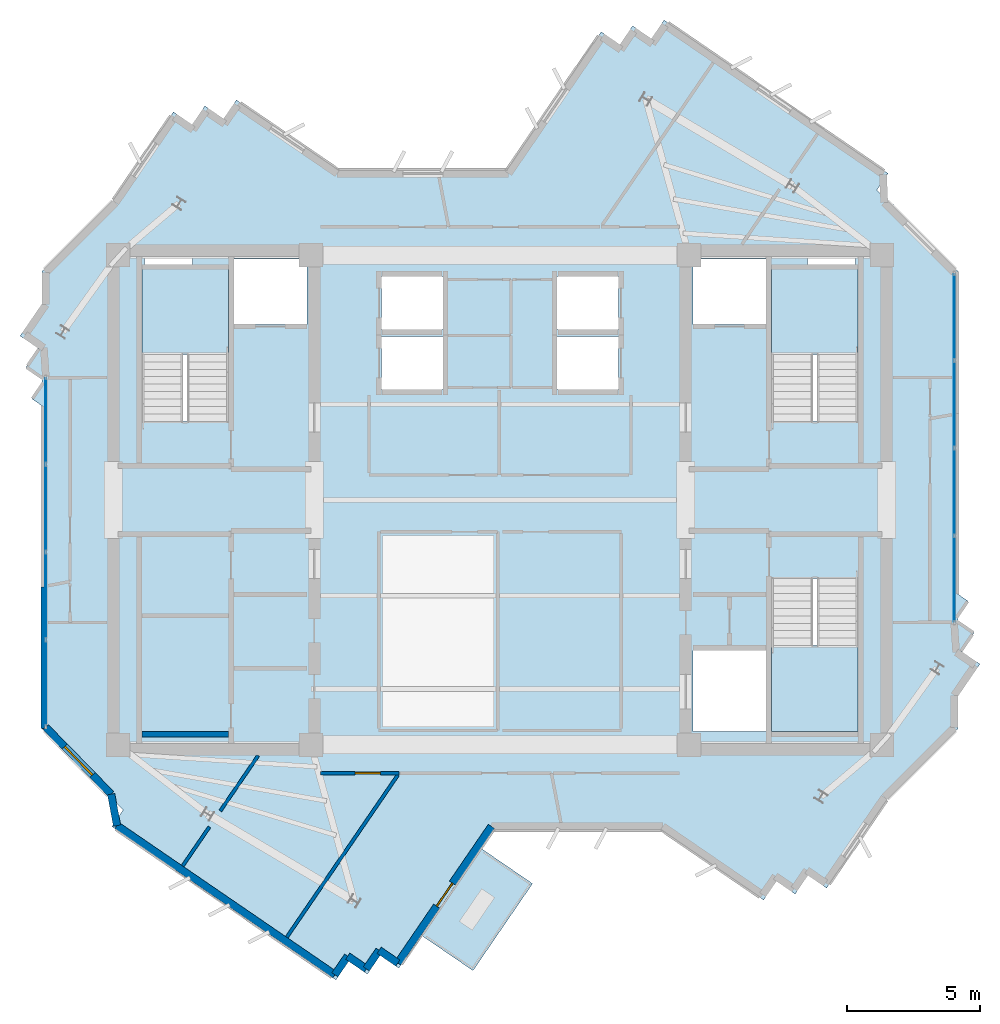
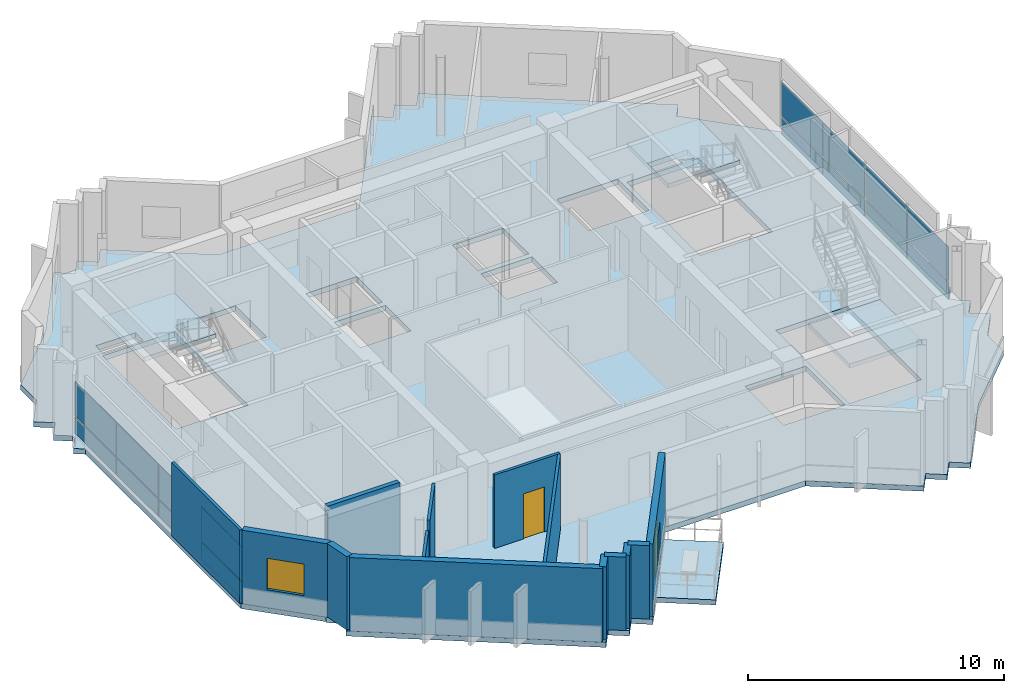
# One storey, part 4 of 11: 16 plates, 14 walls, 5 slabs, 2 doors, 1 window, 3 openings, 5 elements without a shape of their own.
"""IFC4 building model written with IfcOpenShell, lengths in metres."""

from ifc_helpers import new_model, si_unit, direction, frame, frame_2d, origin, origin_2d, place, context, subcontext, project, spatial, polyline, rectangle, outline, extrude, source, transform, mapped, material, layer, layer_set, type_object, element, fill, aggregate, save


model = new_model("IFC4")

# Units and contexts
model_context = context("Model", 3, precision=1e-05, world=origin(), true_north=direction((0.0, 1.0)))
body_context = subcontext(model_context, "Body", "Model", "MODEL_VIEW")
ifc_project = project(units=[si_unit("LENGTHUNIT", "METRE"), si_unit("AREAUNIT", "SQUARE_METRE"), si_unit("VOLUMEUNIT", "CUBIC_METRE"), si_unit("PLANEANGLEUNIT", "RADIAN"), si_unit("MASSUNIT", "GRAM", prefix="KILO")], contexts=[model_context])

# Site, building, storey
site_placement = place(None, origin())
site = spatial("IfcSite", under=ifc_project, at=site_placement, CompositionType="ELEMENT")
building_placement = place(site_placement, origin())
building = spatial("IfcBuilding", under=site, at=building_placement, Name="Zahravan Cultural Tower", CompositionType="ELEMENT")
storey_placement = place(building_placement, frame((0.0, 0.0, 338.550048828125)))
storey = spatial("IfcBuildingStorey", under=building, at=storey_placement, Name="L82", CompositionType="ELEMENT", Elevation=338.550048828125)

# Stair, slab
ifc_material_1 = material(Name="Concrete C45/55", Category="concrete")
stair_type = type_object("IfcStairType", Name="STR-DL-1550-375", PredefinedType="HALF_TURN_STAIR", material=ifc_material_1)
stair_1_placement = place(storey_placement, origin())
stair_1 = element("IfcStair", 1, at=stair_1_placement, inside=storey, type_object=stair_type, Name="L82 West Core North Exit Stair ST-W1", PredefinedType="HALF_TURN_STAIR")
ifc_layer_1 = layer(ifc_material_1, 0.199951171875)
ifc_layer_set_1 = layer_set([ifc_layer_1], Name="Concrete C45/55")
slab_type_1 = type_object("IfcSlabType", Name="SL-STAIR-LND200", PredefinedType="LANDING", material=ifc_layer_set_1)
slab_1_placement = place(storey_placement, frame((0.0, 0.0, 1.675048828125)))
slab_1 = element("IfcSlab", 2, at=slab_1_placement, type_object=slab_type_1, Name="ST-W1 landing 1", PredefinedType="LANDING", context=body_context, shape_type="SweptSolid", body=[
    extrude(outline(polyline([(25.800048828125, 32.469970703125), (25.800048828125, 35.699951171875), (22.550048828125, 35.699951171875), (22.550048828125, 32.469970703125), (25.800048828125, 32.469970703125)])), origin(), (0.0, 0.0, 1.0), 0.199951171875),
])
aggregate(stair_1, [slab_1])

stair_2_placement = place(storey_placement, origin())
stair_2 = element("IfcStair", 3, at=stair_2_placement, inside=storey, type_object=stair_type, Name="L82 East Core North Exit Stair ST-E1", PredefinedType="HALF_TURN_STAIR")
slab_2_placement = place(storey_placement, frame((0.0, 0.0, 1.675048828125)))
slab_2 = element("IfcSlab", 4, at=slab_2_placement, type_object=slab_type_1, Name="ST-E1 landing 1", PredefinedType="LANDING", context=body_context, shape_type="SweptSolid", body=[
    extrude(outline(polyline([(49.449951171875, 32.469970703125), (49.449951171875, 35.699951171875), (46.199951171875, 35.699951171875), (46.199951171875, 32.469970703125), (49.449951171875, 32.469970703125)])), origin(), (0.0, 0.0, 1.0), 0.199951171875),
])
aggregate(stair_2, [slab_2])

stair_3_placement = place(storey_placement, origin())
stair_3 = element("IfcStair", 5, at=stair_3_placement, inside=storey, type_object=stair_type, Name="L82 East Core South Exit Stair ST-E2", PredefinedType="HALF_TURN_STAIR")
slab_3_placement = place(storey_placement, frame((0.0, 0.0, 1.675048828125)))
slab_3 = element("IfcSlab", 6, at=slab_3_placement, type_object=slab_type_1, Name="ST-E2 landing 1", PredefinedType="LANDING", context=body_context, shape_type="SweptSolid", body=[
    extrude(outline(polyline([(46.199951171875, 21.530029296875), (46.199951171875, 18.300048828125), (49.449951171875, 18.300048828125), (49.449951171875, 21.530029296875), (46.199951171875, 21.530029296875)])), origin(), (0.0, 0.0, 1.0), 0.199951171875),
])
aggregate(stair_3, [slab_3])

# Slabs
ifc_material_2 = material(Name="Concrete C40/50", Category="concrete")
ifc_layer_2 = layer(ifc_material_2, 0.239990234375)
ifc_layer_set_2 = layer_set([ifc_layer_2], Name="Concrete C40/50")
slab_type_2 = type_object("IfcSlabType", Name="SL-TERR-240", PredefinedType="FLOOR", material=ifc_layer_set_2)
slab_4_placement = place(storey_placement, frame((0.0, 0.0, -0.239990234375)))
element("IfcSlab", 7, at=slab_4_placement, inside=storey, type_object=slab_type_2, Name="L82 Planted Sculpture Terrace SW", PredefinedType="FLOOR", context=body_context, shape_type="SweptSolid", body=[
    extrude(outline(polyline([(37.22216796875, 12.58935546875), (35.287109375, 13.9140625), (33.050048828125, 10.646728515625), (34.98486328125, 9.32177734375), (37.22216796875, 12.58935546875)])), origin(), (0.0, 0.0, 1.0), 0.239990234375),
])
ifc_layer_3 = layer(ifc_material_2, 0.25)
ifc_layer_set_3 = layer_set([ifc_layer_3], Name="Concrete C40/50")
slab_type_3 = type_object("IfcSlabType", Name="SL-TYP-250", PredefinedType="FLOOR", material=ifc_layer_set_3)
slab_5_placement = place(storey_placement, frame((0.0, 0.0, -0.25)))
element("IfcSlab", 8, at=slab_5_placement, inside=storey, type_object=slab_type_3, Name="L82 Structural Floor Slab", PredefinedType="FLOOR", context=body_context, shape_type="SweptSolid", body=[
    extrude(outline(polyline([(50.522216796875, 38.27783203125), (50.15478515625, 38.645263671875), (50.580810546875, 39.267822265625), (42.164794921875, 45.030517578125), (41.6845703125, 44.3291015625), (40.983154296875, 44.809326171875), (40.5029296875, 44.10791015625), (39.801513671875, 44.588134765625), (36.249267578125, 39.39990234375), (29.92626953125, 39.39990234375), (26.095458984375, 42.023193359375), (25.615234375, 41.32177734375), (24.913818359375, 41.802001953125), (24.43359375, 41.1005859375), (23.732177734375, 41.580810546875), (21.454833984375, 38.2548828125), (18.800048828125, 35.60009765625), (18.800048828125, 34.37744140625), (17.969482421875, 33.164794921875), (18.6708984375, 32.6845703125), (18.190673828125, 31.983154296875), (18.800048828125, 31.56591796875), (18.800048828125, 31.368408203125), (18.411865234375, 30.801513671875), (18.800048828125, 30.535888671875), (18.800048828125, 18.39990234375), (21.23388671875, 15.96630859375), (21.197998046875, 15.913818359375), (21.477783203125, 15.72216796875), (21.84521484375, 15.354736328125), (21.419189453125, 14.732177734375), (29.835205078125, 8.969482421875), (30.3154296875, 9.6708984375), (31.016845703125, 9.190673828125), (31.4970703125, 9.89208984375), (32.198486328125, 9.411865234375), (35.750732421875, 14.60009765625), (42.07373046875, 14.60009765625), (45.904541015625, 11.976806640625), (46.384765625, 12.67822265625), (47.086181640625, 12.197998046875), (47.56640625, 12.8994140625), (48.267822265625, 12.419189453125), (50.545166015625, 15.7451171875), (53.199951171875, 18.39990234375), (53.199951171875, 19.62255859375), (54.030517578125, 20.835205078125), (53.3291015625, 21.3154296875), (53.809326171875, 22.016845703125), (53.199951171875, 22.43408203125), (53.199951171875, 22.631591796875), (53.588134765625, 23.198486328125), (53.199951171875, 23.464111328125), (53.199951171875, 35.60009765625), (50.76611328125, 38.03369140625), (50.802001953125, 38.086181640625), (50.522216796875, 38.27783203125)]), holes=[polyline([(22.550048828125, 29.949951171875), (22.550048828125, 35.699951171875), (25.800048828125, 35.699951171875), (25.800048828125, 29.949951171875), (22.550048828125, 29.949951171875)]), polyline([(46.199951171875, 29.949951171875), (46.199951171875, 35.699951171875), (49.449951171875, 35.699951171875), (49.449951171875, 29.949951171875), (46.199951171875, 29.949951171875)]), polyline([(46.199951171875, 18.300048828125), (46.199951171875, 24.050048828125), (49.449951171875, 24.050048828125), (49.449951171875, 18.300048828125), (46.199951171875, 18.300048828125)]), polyline([(26.0, 33.60009765625), (26.0, 36.050048828125), (28.75, 36.050048828125), (28.75, 33.60009765625), (26.0, 33.60009765625)]), polyline([(43.25, 33.60009765625), (43.25, 36.050048828125), (46.0, 36.050048828125), (46.0, 33.60009765625), (43.25, 33.60009765625)]), polyline([(43.25, 18.300048828125), (43.25, 21.35009765625), (46.0, 21.35009765625), (46.0, 18.300048828125), (43.25, 18.300048828125)]), polyline([(31.550048828125, 33.39990234375), (31.550048828125, 35.39990234375), (33.85009765625, 35.39990234375), (33.85009765625, 33.39990234375), (31.550048828125, 33.39990234375)]), polyline([(31.550048828125, 31.14990234375), (31.550048828125, 33.14990234375), (33.85009765625, 33.14990234375), (33.85009765625, 31.14990234375), (31.550048828125, 31.14990234375)]), polyline([(38.14990234375, 33.39990234375), (38.14990234375, 35.39990234375), (40.449951171875, 35.39990234375), (40.449951171875, 33.39990234375), (38.14990234375, 33.39990234375)]), polyline([(38.14990234375, 31.14990234375), (38.14990234375, 33.14990234375), (40.449951171875, 33.14990234375), (40.449951171875, 31.14990234375), (38.14990234375, 31.14990234375)]), polyline([(22.64990234375, 35.800048828125), (22.64990234375, 36.419921875), (24.449951171875, 36.419921875), (24.449951171875, 35.800048828125), (22.64990234375, 35.800048828125)]), polyline([(47.550048828125, 35.800048828125), (47.550048828125, 36.419921875), (49.35009765625, 36.419921875), (49.35009765625, 35.800048828125), (47.550048828125, 35.800048828125)])]), origin(), (0.0, 0.0, 1.0), 0.25),
])

# Curtain wall, plates
ifc_material_3 = material(Name="Anodised bronze-aluminium mullion", Category="aluminium")
ifc_layer_4 = layer(ifc_material_3, 0.179931640625)
ifc_layer_set_4 = layer_set([ifc_layer_4], Name="Anodised bronze-aluminium mullion")
curtain_wall_type_1 = type_object("IfcCurtainWallType", Name="CW-SYS-3", PredefinedType="USERDEFINED", material=ifc_layer_set_4)
curtain_wall_1_placement = place(storey_placement, origin())
curtain_wall_1 = element("IfcCurtainWall", 9, at=curtain_wall_1_placement, inside=storey, type_object=curtain_wall_type_1, Name="L82 Recessed Curtain Wall CW-3.1", ObjectType="RECESSED GLAZING", PredefinedType="USERDEFINED")
ifc_material_4 = material(Name="Low-E solar-control double glazing", Category="glass")
ifc_layer_5 = layer(ifc_material_4, 0.028076171875)
ifc_layer_set_5 = layer_set([ifc_layer_5], Name="Low-E solar-control double glazing")
plate_type_1 = type_object("IfcPlateType", Name="CWP-CW-3", PredefinedType="CURTAIN_PANEL", material=ifc_layer_set_5)
shared_shape_1 = source(origin(), body_context, "Body", "SweptSolid", [
    extrude(rectangle(XDim=3.1904296875, YDim=0.028076171875, at=origin_2d()), origin(), (0.0, 0.0, 1.0), 0.794921875),
])
plate_1_placement = place(storey_placement, frame((18.93994140625, 20.123291015625, 0.070068359375), z_axis=(0.0, 0.0, 1.0), x_axis=(0.0, 1.0, 0.0)))
plate_1 = element("IfcPlate", 10, at=plate_1_placement, type_object=plate_type_1, Name="CW-3 panel 1.1", PredefinedType="CURTAIN_PANEL", context=body_context, shape_type="MappedRepresentation", body=[
    mapped(shared_shape_1, transform((0.0, 0.0, 0.0), x_axis=(1.0, 0.0, 0.0), y_axis=(0.0, 1.0, 0.0), z_axis=(0.0, 0.0, 1.0), scale=1.0)),
])
plate_2_placement = place(storey_placement, frame((18.93994140625, 29.974609375, 0.070068359375), z_axis=(0.0, 0.0, 1.0), x_axis=(0.0, 1.0, 0.0)))
plate_2 = element("IfcPlate", 11, at=plate_2_placement, type_object=plate_type_1, Name="CW-3 panel 4.1", PredefinedType="CURTAIN_PANEL", context=body_context, shape_type="MappedRepresentation", body=[
    mapped(shared_shape_1, transform((0.0, 0.0, 0.0), x_axis=(1.0, 0.0, 0.0), y_axis=(0.0, 1.0, 0.0), z_axis=(0.0, 0.0, 1.0), scale=1.0)),
])
shared_shape_2 = source(origin(), body_context, "Body", "SweptSolid", [
    extrude(rectangle(XDim=3.1904296875, YDim=0.028076171875, at=origin_2d()), origin(), (0.0, 0.0, 1.0), 1.614990234375),
])
plate_3_placement = place(storey_placement, frame((18.93994140625, 20.123291015625, 0.93505859375), z_axis=(0.0, 0.0, 1.0), x_axis=(0.0, 1.0, 0.0)))
plate_3 = element("IfcPlate", 12, at=plate_3_placement, type_object=plate_type_1, Name="CW-3 panel 1.2", PredefinedType="CURTAIN_PANEL", context=body_context, shape_type="MappedRepresentation", body=[
    mapped(shared_shape_2, transform((0.0, 0.0, 0.0), x_axis=(1.0, 0.0, 0.0), y_axis=(0.0, 1.0, 0.0), z_axis=(0.0, 0.0, 1.0), scale=1.0)),
])
plate_4_placement = place(storey_placement, frame((18.93994140625, 29.974609375, 0.93505859375), z_axis=(0.0, 0.0, 1.0), x_axis=(0.0, 1.0, 0.0)))
plate_4 = element("IfcPlate", 13, at=plate_4_placement, type_object=plate_type_1, Name="CW-3 panel 4.2", PredefinedType="CURTAIN_PANEL", context=body_context, shape_type="MappedRepresentation", body=[
    mapped(shared_shape_2, transform((0.0, 0.0, 0.0), x_axis=(1.0, 0.0, 0.0), y_axis=(0.0, 1.0, 0.0), z_axis=(0.0, 0.0, 1.0), scale=1.0)),
])
shared_shape_3 = source(origin(), body_context, "Body", "SweptSolid", [
    extrude(rectangle(XDim=3.225341796875, YDim=0.028076171875, at=origin_2d()), origin(), (0.0, 0.0, 1.0), 0.794921875),
])
plate_5_placement = place(storey_placement, frame((18.93994140625, 23.401123046875, 0.070068359375), z_axis=(0.0, 0.0, 1.0), x_axis=(0.0, 1.0, 0.0)))
plate_5 = element("IfcPlate", 14, at=plate_5_placement, type_object=plate_type_1, Name="CW-3 panel 2.1", PredefinedType="CURTAIN_PANEL", context=body_context, shape_type="MappedRepresentation", body=[
    mapped(shared_shape_3, transform((0.0, 0.0, 0.0), x_axis=(1.0, 0.0, 0.0), y_axis=(0.0, 1.0, 0.0), z_axis=(0.0, 0.0, 1.0), scale=1.0)),
])
plate_6_placement = place(storey_placement, frame((18.93994140625, 26.696533203125, 0.070068359375), z_axis=(0.0, 0.0, 1.0), x_axis=(0.0, 1.0, 0.0)))
plate_6 = element("IfcPlate", 15, at=plate_6_placement, type_object=plate_type_1, Name="CW-3 panel 3.1", PredefinedType="CURTAIN_PANEL", context=body_context, shape_type="MappedRepresentation", body=[
    mapped(shared_shape_3, transform((0.0, 0.0, 0.0), x_axis=(1.0, 0.0, 0.0), y_axis=(0.0, 1.0, 0.0), z_axis=(0.0, 0.0, 1.0), scale=1.0)),
])
shared_shape_4 = source(origin(), body_context, "Body", "SweptSolid", [
    extrude(rectangle(XDim=3.225341796875, YDim=0.028076171875, at=origin_2d()), origin(), (0.0, 0.0, 1.0), 1.614990234375),
])
plate_7_placement = place(storey_placement, frame((18.93994140625, 23.401123046875, 0.93505859375), z_axis=(0.0, 0.0, 1.0), x_axis=(0.0, 1.0, 0.0)))
plate_7 = element("IfcPlate", 16, at=plate_7_placement, type_object=plate_type_1, Name="CW-3 panel 2.2", PredefinedType="CURTAIN_PANEL", context=body_context, shape_type="MappedRepresentation", body=[
    mapped(shared_shape_4, transform((0.0, 0.0, 0.0), x_axis=(1.0, 0.0, 0.0), y_axis=(0.0, 1.0, 0.0), z_axis=(0.0, 0.0, 1.0), scale=1.0)),
])
plate_8_placement = place(storey_placement, frame((18.93994140625, 26.696533203125, 0.93505859375), z_axis=(0.0, 0.0, 1.0), x_axis=(0.0, 1.0, 0.0)))
plate_8 = element("IfcPlate", 17, at=plate_8_placement, type_object=plate_type_1, Name="CW-3 panel 3.2", PredefinedType="CURTAIN_PANEL", context=body_context, shape_type="MappedRepresentation", body=[
    mapped(shared_shape_4, transform((0.0, 0.0, 0.0), x_axis=(1.0, 0.0, 0.0), y_axis=(0.0, 1.0, 0.0), z_axis=(0.0, 0.0, 1.0), scale=1.0)),
])
aggregate(curtain_wall_1, [plate_1, plate_3, plate_5, plate_7, plate_6, plate_8, plate_2, plate_4])

ifc_layer_6 = layer(ifc_material_3, 0.1650390625)
ifc_layer_set_6 = layer_set([ifc_layer_6], Name="Anodised bronze-aluminium mullion")
curtain_wall_type_2 = type_object("IfcCurtainWallType", Name="CW-SYS-4", PredefinedType="USERDEFINED", material=ifc_layer_set_6)
curtain_wall_2_placement = place(storey_placement, origin())
curtain_wall_2 = element("IfcCurtainWall", 18, at=curtain_wall_2_placement, inside=storey, type_object=curtain_wall_type_2, Name="L82 Recessed Curtain Wall CW-4.2", ObjectType="RECESSED GLAZING", PredefinedType="USERDEFINED")
ifc_layer_7 = layer(ifc_material_4, 0.02587890625)
ifc_layer_set_7 = layer_set([ifc_layer_7], Name="Low-E solar-control double glazing")
plate_type_2 = type_object("IfcPlateType", Name="CWP-CW-4", PredefinedType="CURTAIN_PANEL", material=ifc_layer_set_7)
shared_shape_5 = source(origin(), body_context, "Body", "SweptSolid", [
    extrude(rectangle(XDim=3.197998046875, YDim=0.02587890625, at=origin_2d()), origin(), (0.0, 0.0, 1.0), 0.802490234375),
])
plate_9_placement = place(storey_placement, frame((53.06005859375, 33.8779296875, 0.06494140625), z_axis=(0.0, 0.0, 1.0), x_axis=(0.0, -1.0, 0.0)))
plate_9 = element("IfcPlate", 19, at=plate_9_placement, type_object=plate_type_2, Name="CW-4 panel 1.1", PredefinedType="CURTAIN_PANEL", context=body_context, shape_type="MappedRepresentation", body=[
    mapped(shared_shape_5, transform((0.0, 0.0, 0.0), x_axis=(1.0, 0.0, 0.0), y_axis=(0.0, 1.0, 0.0), z_axis=(0.0, 0.0, 1.0), scale=1.0)),
])
plate_10_placement = place(storey_placement, frame((53.06005859375, 24.024169921875, 0.06494140625), z_axis=(0.0, 0.0, 1.0), x_axis=(0.0, -1.0, 0.0)))
plate_10 = element("IfcPlate", 20, at=plate_10_placement, type_object=plate_type_2, Name="CW-4 panel 4.1", PredefinedType="CURTAIN_PANEL", context=body_context, shape_type="MappedRepresentation", body=[
    mapped(shared_shape_5, transform((0.0, 0.0, 0.0), x_axis=(1.0, 0.0, 0.0), y_axis=(0.0, 1.0, 0.0), z_axis=(0.0, 0.0, 1.0), scale=1.0)),
])
shared_shape_6 = source(origin(), body_context, "Body", "SweptSolid", [
    extrude(rectangle(XDim=3.197998046875, YDim=0.02587890625, at=origin_2d()), origin(), (0.0, 0.0, 1.0), 1.62255859375),
])
plate_11_placement = place(storey_placement, frame((53.06005859375, 33.8779296875, 0.932373046875), z_axis=(0.0, 0.0, 1.0), x_axis=(0.0, -1.0, 0.0)))
plate_11 = element("IfcPlate", 21, at=plate_11_placement, type_object=plate_type_2, Name="CW-4 panel 1.2", PredefinedType="CURTAIN_PANEL", context=body_context, shape_type="MappedRepresentation", body=[
    mapped(shared_shape_6, transform((0.0, 0.0, 0.0), x_axis=(1.0, 0.0, 0.0), y_axis=(0.0, 1.0, 0.0), z_axis=(0.0, 0.0, 1.0), scale=1.0)),
])
plate_12_placement = place(storey_placement, frame((53.06005859375, 24.024169921875, 0.932373046875), z_axis=(0.0, 0.0, 1.0), x_axis=(0.0, -1.0, 0.0)))
plate_12 = element("IfcPlate", 22, at=plate_12_placement, type_object=plate_type_2, Name="CW-4 panel 4.2", PredefinedType="CURTAIN_PANEL", context=body_context, shape_type="MappedRepresentation", body=[
    mapped(shared_shape_6, transform((0.0, 0.0, 0.0), x_axis=(1.0, 0.0, 0.0), y_axis=(0.0, 1.0, 0.0), z_axis=(0.0, 0.0, 1.0), scale=1.0)),
])
shared_shape_7 = source(origin(), body_context, "Body", "SweptSolid", [
    extrude(rectangle(XDim=3.23046875, YDim=0.02587890625, at=origin_2d()), origin(), (0.0, 0.0, 1.0), 0.802490234375),
])
plate_13_placement = place(storey_placement, frame((53.06005859375, 30.598876953125, 0.06494140625), z_axis=(0.0, 0.0, 1.0), x_axis=(0.0, -1.0, 0.0)))
plate_13 = element("IfcPlate", 23, at=plate_13_placement, type_object=plate_type_2, Name="CW-4 panel 2.1", PredefinedType="CURTAIN_PANEL", context=body_context, shape_type="MappedRepresentation", body=[
    mapped(shared_shape_7, transform((0.0, 0.0, 0.0), x_axis=(1.0, 0.0, 0.0), y_axis=(0.0, 1.0, 0.0), z_axis=(0.0, 0.0, 1.0), scale=1.0)),
])
plate_14_placement = place(storey_placement, frame((53.06005859375, 27.303466796875, 0.06494140625), z_axis=(0.0, 0.0, 1.0), x_axis=(0.0, -1.0, 0.0)))
plate_14 = element("IfcPlate", 24, at=plate_14_placement, type_object=plate_type_2, Name="CW-4 panel 3.1", PredefinedType="CURTAIN_PANEL", context=body_context, shape_type="MappedRepresentation", body=[
    mapped(shared_shape_7, transform((0.0, 0.0, 0.0), x_axis=(1.0, 0.0, 0.0), y_axis=(0.0, 1.0, 0.0), z_axis=(0.0, 0.0, 1.0), scale=1.0)),
])
shared_shape_8 = source(origin(), body_context, "Body", "SweptSolid", [
    extrude(rectangle(XDim=3.23046875, YDim=0.02587890625, at=origin_2d()), origin(), (0.0, 0.0, 1.0), 1.62255859375),
])
plate_15_placement = place(storey_placement, frame((53.06005859375, 30.598876953125, 0.932373046875), z_axis=(0.0, 0.0, 1.0), x_axis=(0.0, -1.0, 0.0)))
plate_15 = element("IfcPlate", 25, at=plate_15_placement, type_object=plate_type_2, Name="CW-4 panel 2.2", PredefinedType="CURTAIN_PANEL", context=body_context, shape_type="MappedRepresentation", body=[
    mapped(shared_shape_8, transform((0.0, 0.0, 0.0), x_axis=(1.0, 0.0, 0.0), y_axis=(0.0, 1.0, 0.0), z_axis=(0.0, 0.0, 1.0), scale=1.0)),
])
plate_16_placement = place(storey_placement, frame((53.06005859375, 27.303466796875, 0.932373046875), z_axis=(0.0, 0.0, 1.0), x_axis=(0.0, -1.0, 0.0)))
plate_16 = element("IfcPlate", 26, at=plate_16_placement, type_object=plate_type_2, Name="CW-4 panel 3.2", PredefinedType="CURTAIN_PANEL", context=body_context, shape_type="MappedRepresentation", body=[
    mapped(shared_shape_8, transform((0.0, 0.0, 0.0), x_axis=(1.0, 0.0, 0.0), y_axis=(0.0, 1.0, 0.0), z_axis=(0.0, 0.0, 1.0), scale=1.0)),
])
aggregate(curtain_wall_2, [plate_9, plate_11, plate_13, plate_15, plate_14, plate_16, plate_10, plate_12])

# Wall, opening, window
ifc_material_5 = material(Name="Precast concrete C40/50", Category="concrete")
ifc_layer_8 = layer(ifc_material_5, 0.280029296875)
ifc_layer_set_8 = layer_set([ifc_layer_8], Name="Precast concrete C40/50")
wall_type_1 = type_object("IfcWallType", Name="EW-TC-280", PredefinedType="SOLIDWALL", material=ifc_layer_set_8)
wall_1_placement = place(storey_placement, frame((21.392578125, 15.9501953125, 0.0), z_axis=(0.0, 0.0, 1.0), x_axis=(-0.699198279454, 0.714927804753, 0.0)))
wall_1 = element("IfcWall", 27, at=wall_1_placement, inside=storey, type_object=wall_type_1, Name="L82 Exterior Masonry Frame Wall 01", PredefinedType="SOLIDWALL", context=body_context, shape_type="SweptSolid", body=[
    extrude(rectangle(XDim=3.5078125, YDim=0.280029296875, at=frame_2d((1.75390625, 0.0))), origin(), (0.0, 0.0, 1.0), 3.5),
])
opening_1_placement = place(wall_1_placement, frame((1.00390625, 0.0, 0.85009765625)))
opening_1 = element("IfcOpeningElement", 28, at=opening_1_placement, cuts=wall_1, Name="Opening WN-03", PredefinedType="OPENING", context=body_context, shape_type="SweptSolid", body=[
    extrude(rectangle(XDim=1.5, YDim=1.5, at=frame_2d((0.75, 0.75))), frame((0.0, 0.14990234375, 0.0), z_axis=(0.0, -1.0, 0.0), x_axis=(1.0, 0.0, 0.0)), (0.0, 0.0, 1.0), 0.300048828125),
])
window_type = type_object("IfcWindowType", Name="WN-REC-1500X1500", PartitioningType="SINGLE_PANEL", PredefinedType="WINDOW", material=ifc_material_4)
shared_shape_9 = source(origin(), body_context, "Body", "SweptSolid", [
    extrude(rectangle(XDim=1.5, YDim=1.5, at=frame_2d((0.75, 0.75))), frame((0.0, 0.030029296875, 0.0), z_axis=(0.0, -1.0, 0.0), x_axis=(1.0, 0.0, 0.0)), (0.0, 0.0, 1.0), 0.06005859375),
])
window_placement = place(opening_1_placement, origin())
window = element("IfcWindow", 29, at=window_placement, inside=storey, type_object=window_type, Name="L82 Recessed Solar Window 01", OverallHeight=1.5, OverallWidth=1.5, PartitioningType="SINGLE_PANEL", PredefinedType="WINDOW", context=body_context, shape_type="MappedRepresentation", body=[
    mapped(shared_shape_9, transform((0.0, 0.0, 0.0), x_axis=(1.0, 0.0, 0.0), y_axis=(0.0, 1.0, 0.0), z_axis=(0.0, 0.0, 1.0), scale=1.0)),
])
fill(opening_1, window)

# Wall, opening, door
wall_2_placement = place(storey_placement, frame((35.677001953125, 14.739990234375, 0.0), z_axis=(0.0, 0.0, 1.0), x_axis=(-0.564953982519, -0.825122413728, 0.0)))
wall_2 = element("IfcWall", 30, at=wall_2_placement, inside=storey, type_object=wall_type_1, Name="L82 Exterior Masonry Frame Wall 34", PredefinedType="SOLIDWALL", context=body_context, shape_type="SweptSolid", body=[
    extrude(rectangle(XDim=6.221435546875, YDim=0.280029296875, at=frame_2d((3.11083984375, 0.0))), origin(), (0.0, 0.0, 1.0), 3.5),
])
opening_2_placement = place(wall_2_placement, frame((2.5859375, 0.0, 0.0)))
opening_2 = element("IfcOpeningElement", 31, at=opening_2_placement, cuts=wall_2, Name="Opening D-L82-TR-SW", PredefinedType="OPENING", context=body_context, shape_type="SweptSolid", body=[
    extrude(rectangle(XDim=1.050048828125, YDim=2.14990234375, at=frame_2d((0.52490234375, 1.074951171875))), frame((0.0, 0.14990234375, 0.0), z_axis=(0.0, -1.0, 0.0), x_axis=(1.0, 0.0, 0.0)), (0.0, 0.0, 1.0), 0.300048828125),
])
door_type_1 = type_object("IfcDoorType", Name="DR-TERR-1050", OperationType="NOTDEFINED", PredefinedType="DOOR", material=ifc_material_3)
shared_shape_10 = source(origin(), body_context, "Body", "SweptSolid", [
    extrude(rectangle(XDim=1.050048828125, YDim=2.14990234375, at=frame_2d((0.52490234375, 1.074951171875))), frame((0.0, 0.02490234375, 0.0), z_axis=(0.0, -1.0, 0.0), x_axis=(1.0, 0.0, 0.0)), (0.0, 0.0, 1.0), 0.050048828125),
])
door_1_placement = place(opening_2_placement, origin())
door_1 = element("IfcDoor", 32, at=door_1_placement, inside=storey, type_object=door_type_1, Name="L82 Terrace Access Door SW", OperationType="SINGLE_SWING_LEFT", OverallHeight=2.14990234375, OverallWidth=1.050048828125, PredefinedType="DOOR", context=body_context, shape_type="MappedRepresentation", body=[
    mapped(shared_shape_10, transform((0.0, 0.0, 0.0), x_axis=(1.0, 0.0, 0.0), y_axis=(0.0, 1.0, 0.0), z_axis=(0.0, 0.0, 1.0), scale=1.0)),
])
fill(opening_2, door_1)

ifc_material_6 = material(Name="Gypsum plasterboard partition")
ifc_layer_9 = layer(ifc_material_6, 0.125)
ifc_layer_set_9 = layer_set([ifc_layer_9], Name="Gypsum plasterboard partition")
wall_type_2 = type_object("IfcWallType", Name="W-PART-125", PredefinedType="PARTITIONING", material=ifc_layer_set_9)
wall_3_placement = place(storey_placement, frame((29.257568359375, 16.740234375, 0.0), z_axis=(0.0, 0.0, 1.0), x_axis=(0.999999996583, -8.2671957e-05, 0.0)))
wall_3 = element("IfcWall", 33, at=wall_3_placement, inside=storey, type_object=wall_type_2, Name="L82 Interior Wall 081", PredefinedType="PARTITIONING", context=body_context, shape_type="SweptSolid", body=[
    extrude(rectangle(XDim=2.953125, YDim=0.125, at=frame_2d((1.4765625, 0.0))), origin(), (0.0, 0.0, 1.0), 3.5),
])
opening_3_placement = place(wall_3_placement, frame((1.302001953125, 0.0, 0.0)))
opening_3 = element("IfcOpeningElement", 34, at=opening_3_placement, cuts=wall_3, Name="Opening D-L82-26", PredefinedType="OPENING", context=body_context, shape_type="SweptSolid", body=[
    extrude(rectangle(XDim=0.949951171875, YDim=2.14990234375, at=frame_2d((0.47509765625, 1.074951171875))), frame((0.0, 0.072509765625, 0.0), z_axis=(0.0, -1.0, 0.0), x_axis=(1.0, 0.0, 0.0)), (0.0, 0.0, 1.0), 0.14501953125),
])
door_type_2 = type_object("IfcDoorType", Name="DR-ROOM-950", OperationType="NOTDEFINED", PredefinedType="DOOR", material=ifc_material_3)
shared_shape_11 = source(origin(), body_context, "Body", "SweptSolid", [
    extrude(rectangle(XDim=0.949951171875, YDim=2.14990234375, at=frame_2d((0.47509765625, 1.074951171875))), frame((0.0, 0.02490234375, 0.0), z_axis=(0.0, -1.0, 0.0), x_axis=(1.0, 0.0, 0.0)), (0.0, 0.0, 1.0), 0.050048828125),
])
door_2_placement = place(opening_3_placement, origin())
door_2 = element("IfcDoor", 35, at=door_2_placement, inside=storey, type_object=door_type_2, Name="L82 Door D-L82-26", OperationType="SINGLE_SWING_LEFT", OverallHeight=2.14990234375, OverallWidth=0.949951171875, PredefinedType="DOOR", context=body_context, shape_type="MappedRepresentation", body=[
    mapped(shared_shape_11, transform((0.0, 0.0, 0.0), x_axis=(1.0, 0.0, 0.0), y_axis=(0.0, 1.0, 0.0), z_axis=(0.0, 0.0, 1.0), scale=1.0)),
])
fill(opening_3, door_2)

# Walls
shared_shape_12 = source(origin(), body_context, "Body", "SweptSolid", [
    extrude(rectangle(XDim=0.85009765625, YDim=0.280029296875, at=frame_2d((0.425048828125, 0.0))), origin(), (0.0, 0.0, 1.0), 3.5),
])
for number, where, z_axis, x_axis, name in (
    (36, (32.162109375, 9.6064453125, 0.0), (0.0, 0.0, 1.0), (-0.825138153006, 0.564930994418, 0.0), "L82 Exterior Masonry Frame Wall 35"),
    (37, (31.460693359375, 10.086669921875, 0.0), (0.0, 0.0, 1.0), (-0.564930994418, -0.825138153006, 0.0), "L82 Exterior Masonry Frame Wall 36"),
    (38, (30.98046875, 9.38525390625, 0.0), (0.0, 0.0, 1.0), (-0.825138153006, 0.564930994418, 0.0), "L82 Exterior Masonry Frame Wall 37"),
):
    element("IfcWall", number, at=place(storey_placement, frame(where, z_axis=z_axis, x_axis=x_axis)), inside=storey, type_object=wall_type_1, Name=name, PredefinedType="SOLIDWALL", context=body_context, shape_type="MappedRepresentation", body=[
        mapped(shared_shape_12, transform((0.0, 0.0, 0.0), x_axis=(1.0, 0.0, 0.0), y_axis=(0.0, 1.0, 0.0), z_axis=(0.0, 0.0, 1.0), scale=1.0)),
    ])
shared_shape_13 = source(origin(), body_context, "Body", "SweptSolid", [
    extrude(rectangle(XDim=0.849853515625, YDim=0.280029296875, at=frame_2d((0.4248046875, 0.0))), origin(), (0.0, 0.0, 1.0), 3.5),
])
wall_4_placement = place(storey_placement, frame((30.279052734375, 9.865478515625, 0.0), z_axis=(0.0, 0.0, 1.0), x_axis=(-0.565064897913, -0.825046459993, 0.0)))
element("IfcWall", 39, at=wall_4_placement, inside=storey, type_object=wall_type_1, Name="L82 Exterior Masonry Frame Wall 38", PredefinedType="SOLIDWALL", context=body_context, shape_type="MappedRepresentation", body=[
    mapped(shared_shape_13, transform((0.0, 0.0, 0.0), x_axis=(1.0, 0.0, 0.0), y_axis=(0.0, 1.0, 0.0), z_axis=(0.0, 0.0, 1.0), scale=1.0)),
])
shared_shape_14 = source(origin(), body_context, "Body", "SweptSolid", [
    extrude(rectangle(XDim=9.919921875, YDim=0.280029296875, at=frame_2d((4.9599609375, 0.0))), origin(), (0.0, 0.0, 1.0), 3.5),
])
wall_5_placement = place(storey_placement, frame((29.798828125, 9.164306640625, 0.0), z_axis=(0.0, 0.0, 1.0), x_axis=(-0.825121888295, 0.56495474992, 0.0)))
element("IfcWall", 40, at=wall_5_placement, inside=storey, type_object=wall_type_1, Name="L82 Exterior Masonry Frame Wall 39", PredefinedType="SOLIDWALL", context=body_context, shape_type="MappedRepresentation", body=[
    mapped(shared_shape_14, transform((0.0, 0.0, 0.0), x_axis=(1.0, 0.0, 0.0), y_axis=(0.0, 1.0, 0.0), z_axis=(0.0, 0.0, 1.0), scale=1.0)),
])
shared_shape_15 = source(origin(), body_context, "Body", "SweptSolid", [
    extrude(rectangle(XDim=1.2021484375, YDim=0.280029296875, at=frame_2d((0.60107421875, 0.0))), origin(), (0.0, 0.0, 1.0), 3.5),
])
wall_6_placement = place(storey_placement, frame((21.61376953125, 14.7685546875, 0.0), z_axis=(0.0, 0.0, 1.0), x_axis=(-0.183994246351, 0.982927320462, 0.0)))
element("IfcWall", 41, at=wall_6_placement, inside=storey, type_object=wall_type_1, Name="L82 Exterior Masonry Frame Wall 40", PredefinedType="SOLIDWALL", context=body_context, shape_type="MappedRepresentation", body=[
    mapped(shared_shape_15, transform((0.0, 0.0, 0.0), x_axis=(1.0, 0.0, 0.0), y_axis=(0.0, 1.0, 0.0), z_axis=(0.0, 0.0, 1.0), scale=1.0)),
])
ifc_layer_10 = layer(ifc_material_1, 0.199951171875)
ifc_layer_set_10 = layer_set([ifc_layer_10], Name="Concrete C45/55")
wall_type_3 = type_object("IfcWallType", Name="W-SHAFT-200", PredefinedType="SOLIDWALL", material=ifc_layer_set_10)
shared_shape_16 = source(origin(), body_context, "Body", "SweptSolid", [
    extrude(rectangle(XDim=3.25, YDim=0.199951171875, at=frame_2d((1.625, 0.0))), origin(), (0.0, 0.0, 1.0), 3.5),
])
wall_7_placement = place(storey_placement, frame((22.550048828125, 18.199951171875, 0.0), z_axis=(0.0, 0.0, 1.0), x_axis=(1.0, 0.0, 0.0)))
element("IfcWall", 42, at=wall_7_placement, inside=storey, type_object=wall_type_3, Name="L82 Interior Wall 019", PredefinedType="SOLIDWALL", context=body_context, shape_type="MappedRepresentation", body=[
    mapped(shared_shape_16, transform((0.0, 0.0, 0.0), x_axis=(1.0, 0.0, 0.0), y_axis=(0.0, 1.0, 0.0), z_axis=(0.0, 0.0, 1.0), scale=1.0)),
])
shared_shape_17 = source(origin(), body_context, "Body", "SweptSolid", [
    extrude(rectangle(XDim=2.5107421875, YDim=0.125, at=frame_2d((1.25537109375, 0.0))), origin(), (0.0, 0.0, 1.0), 3.5),
])
wall_8_placement = place(storey_placement, frame((26.91455078125, 17.39501953125, 0.0), z_axis=(0.0, 0.0, 1.0), x_axis=(-0.564980194272, -0.825104466162, 0.0)))
element("IfcWall", 43, at=wall_8_placement, inside=storey, type_object=wall_type_2, Name="L82 Interior Wall 071", PredefinedType="PARTITIONING", context=body_context, shape_type="MappedRepresentation", body=[
    mapped(shared_shape_17, transform((0.0, 0.0, 0.0), x_axis=(1.0, 0.0, 0.0), y_axis=(0.0, 1.0, 0.0), z_axis=(0.0, 0.0, 1.0), scale=1.0)),
])
shared_shape_18 = source(origin(), body_context, "Body", "SweptSolid", [
    extrude(rectangle(XDim=1.775146484375, YDim=0.125, at=frame_2d((0.8876953125, 0.0))), origin(), (0.0, 0.0, 1.0), 3.5),
])
wall_9_placement = place(storey_placement, frame((25.083251953125, 14.72021484375, 0.0), z_axis=(0.0, 0.0, 1.0), x_axis=(-0.56509798207, -0.825023800057, 0.0)))
element("IfcWall", 44, at=wall_9_placement, inside=storey, type_object=wall_type_2, Name="L82 Interior Wall 072", PredefinedType="PARTITIONING", context=body_context, shape_type="MappedRepresentation", body=[
    mapped(shared_shape_18, transform((0.0, 0.0, 0.0), x_axis=(1.0, 0.0, 0.0), y_axis=(0.0, 1.0, 0.0), z_axis=(0.0, 0.0, 1.0), scale=1.0)),
])
shared_shape_19 = source(origin(), body_context, "Body", "SweptSolid", [
    extrude(rectangle(XDim=5.33203125, YDim=0.125, at=frame_2d((2.666015625, 0.0))), origin(), (0.0, 0.0, 1.0), 3.5),
])
wall_10_placement = place(storey_placement, frame((18.820068359375, 18.408203125, 0.0), z_axis=(0.0, 0.0, 1.0), x_axis=(0.0, 1.0, 0.0)))
element("IfcWall", 45, at=wall_10_placement, inside=storey, type_object=wall_type_2, Name="L82 Interior Wall 073", PredefinedType="PARTITIONING", context=body_context, shape_type="MappedRepresentation", body=[
    mapped(shared_shape_19, transform((0.0, 0.0, 0.0), x_axis=(1.0, 0.0, 0.0), y_axis=(0.0, 1.0, 0.0), z_axis=(0.0, 0.0, 1.0), scale=1.0)),
])
shared_shape_20 = source(origin(), body_context, "Body", "SweptSolid", [
    extrude(rectangle(XDim=7.386962890625, YDim=0.125, at=frame_2d((3.693359375, 0.0))), origin(), (0.0, 0.0, 1.0), 3.5),
])
wall_11_placement = place(storey_placement, frame((32.16455078125, 16.672607421875, 0.0), z_axis=(0.0, 0.0, 1.0), x_axis=(-0.564969427755, -0.8251118383, 0.0)))
element("IfcWall", 46, at=wall_11_placement, inside=storey, type_object=wall_type_2, Name="L82 Interior Wall 082", PredefinedType="PARTITIONING", context=body_context, shape_type="MappedRepresentation", body=[
    mapped(shared_shape_20, transform((0.0, 0.0, 0.0), x_axis=(1.0, 0.0, 0.0), y_axis=(0.0, 1.0, 0.0), z_axis=(0.0, 0.0, 1.0), scale=1.0)),
])

save(model, "model.ifc")
